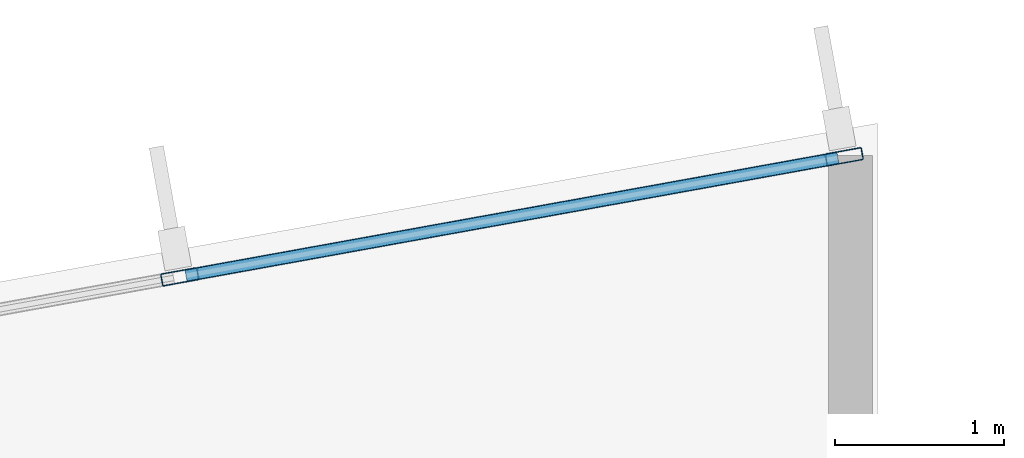
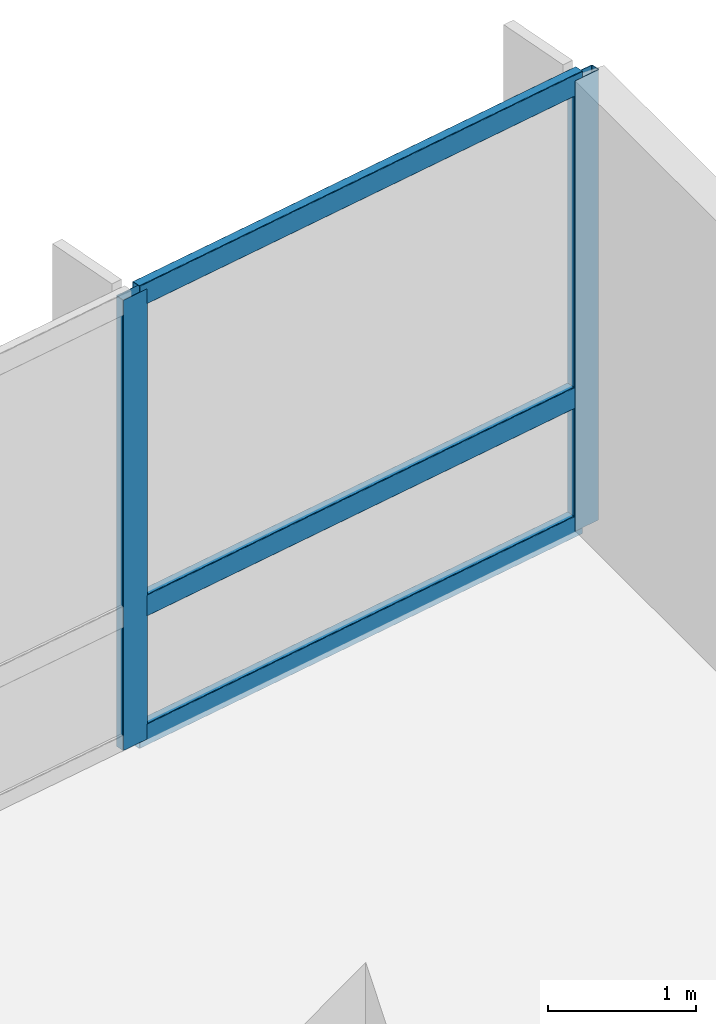
# One storey, part 10 of 21: 5 members, 1 element without a shape of its own.
"""IFC4 building model written with IfcOpenShell, lengths in metres."""

import ifcopenshell
import ifcopenshell.guid

model = None  # the IFC model being written
_history = None  # IfcOwnerHistory: only IFC2X3 demands one
_inside = {}  # id of a spatial element -> (the spatial element, [elements in it])
_under = {}  # id of a project, library or spatial element -> (it, [spatial elements below it])
_declared = {}  # id of a project -> (the project, [libraries it declares])
_typed = {}  # id of a type object -> (the type object, [elements of that type])
_made_of = {}  # id of a material, layer set ... -> (it, [elements and type objects made of it])


def new_model(schema):
    """Start an empty IFC model of exactly this schema.

    Asked for "IFC4X3", IfcOpenShell would pick the latest addendum, in which some entities
    have other attributes; the version numbers below select the first issue.
    IFC2X3 requires an IfcOwnerHistory on every rooted entity: one is made here for all.
    """
    global model, _history
    if schema == "IFC4X3":
        model = ifcopenshell.file(schema_version=(4, 3, 0, 0))
    else:
        model = ifcopenshell.file(schema=schema)
    _inside.clear()
    _under.clear()
    _declared.clear()
    _typed.clear()
    _made_of.clear()
    _history = None
    if model.schema == "IFC2X3":
        org = make("IfcOrganization", Name="unknown")
        user = make(
            "IfcPersonAndOrganization",
            ThePerson=make("IfcPerson", FamilyName="unknown"),
            TheOrganization=org,
        )
        app = make(
            "IfcApplication",
            ApplicationDeveloper=org,
            Version="unknown",
            ApplicationFullName="unknown",
            ApplicationIdentifier="unknown",
        )
        _history = make(
            "IfcOwnerHistory",
            OwningUser=user,
            OwningApplication=app,
            ChangeAction="ADDED",
            CreationDate=0,
        )
    return model


def make(cls, **values):
    """One entity of the class cls with the attributes given. An attribute that is None is left unset."""
    return model.create_entity(
        cls, **{name: value for name, value in values.items() if value is not None}
    )


def rooted(cls, **values):
    """An entity with a GlobalId (a new one), such as an element, a storey or a relation."""
    return make(cls, GlobalId=ifcopenshell.guid.new(), OwnerHistory=_history, **values)


def si_unit(unit_type, name, prefix=None):
    """IfcSIUnit, for example si_unit("LENGTHUNIT", "METRE", prefix="MILLI")."""
    return make("IfcSIUnit", UnitType=unit_type, Prefix=prefix, Name=name)


def assignment(units):
    """IfcUnitAssignment: the units of a project."""
    return None if units is None else make("IfcUnitAssignment", Units=units)


def point(xyz):
    """IfcCartesianPoint."""
    return None if xyz is None else make("IfcCartesianPoint", Coordinates=xyz)


def direction(xyz):
    """IfcDirection."""
    return None if xyz is None else make("IfcDirection", DirectionRatios=xyz)


def frame(location, z_axis=None, x_axis=None):
    """IfcAxis2Placement3D, a coordinate frame: its origin and axes. An axis left out is left unset."""
    return make(
        "IfcAxis2Placement3D",
        Location=point(location),
        Axis=direction(z_axis),
        RefDirection=direction(x_axis),
    )


def frame_2d(location, x_axis=None):
    """IfcAxis2Placement2D, a coordinate frame in the plane: its origin and x axis."""
    return make(
        "IfcAxis2Placement2D", Location=point(location), RefDirection=direction(x_axis)
    )


def origin():
    """The frame at (0, 0, 0) with its axes left unset."""
    return frame((0.0, 0.0, 0.0))


def origin_2d():
    """The frame at (0, 0) in the plane with its x axis left unset."""
    return frame_2d((0.0, 0.0))


def place(relative_to, where):
    """IfcLocalPlacement: puts the frame where relative to a parent placement (None: the world)."""
    return make(
        "IfcLocalPlacement", PlacementRelTo=relative_to, RelativePlacement=where
    )


def context(
    kind, dimensions, precision=None, world=None, true_north=None, identifier=None
):
    """IfcGeometricRepresentationContext, for example the 3D "Model" context."""
    return make(
        "IfcGeometricRepresentationContext",
        ContextIdentifier=identifier,
        ContextType=kind,
        CoordinateSpaceDimension=dimensions,
        Precision=precision,
        WorldCoordinateSystem=world,
        TrueNorth=true_north,
    )


def subcontext(parent, identifier, kind, view, scale=None):
    """IfcGeometricRepresentationSubContext, for example "Body" below "Model"."""
    return make(
        "IfcGeometricRepresentationSubContext",
        ContextIdentifier=identifier,
        ContextType=kind,
        ParentContext=parent,
        TargetScale=scale,
        TargetView=view,
    )


def project(units=None, contexts=None):
    """IfcProject with its units and contexts."""
    return rooted(
        "IfcProject",
        Name="project",
        RepresentationContexts=contexts,
        UnitsInContext=assignment(units),
    )


def spatial(cls, under=None, at=None, **own):
    """A site, building, storey or space (cls), placed at a placement, below another one or the project."""
    s = rooted(cls, ObjectPlacement=at, **own)
    if under is not None:
        _under.setdefault(under.id(), (under, []))[1].append(s)
    return s


def profile(cls, at=None, kind="AREA", **sizes):
    """A parametric profile (cls). Its sizes go by their IFC names, for example OverallWidth=200.0."""
    return make(cls, ProfileType=kind, Position=at, **sizes)


def hollow_rectangle(**sizes):
    """IfcRectangleHollowProfileDef."""
    return profile("IfcRectangleHollowProfileDef", **sizes)


def extrude(swept, where, along, depth):
    """IfcExtrudedAreaSolid: the profile swept, set in the frame where, extruded along a direction by depth."""
    return make(
        "IfcExtrudedAreaSolid",
        SweptArea=swept,
        Position=where,
        ExtrudedDirection=direction(along),
        Depth=depth,
    )


def shape(context_of_items, identifier, shape_type, items):
    """IfcShapeRepresentation: the items that make up one representation, for example the "Body"."""
    return make(
        "IfcShapeRepresentation",
        ContextOfItems=context_of_items,
        RepresentationIdentifier=identifier,
        RepresentationType=shape_type,
        Items=items,
    )


def material(Name=None, Category=None):
    """IfcMaterial."""
    return make("IfcMaterial", Name=Name, Category=Category)


def layer(
    of_material, thickness, ventilated=None, Name=None, Category=None, Priority=None
):
    """IfcMaterialLayer: one layer of a wall or slab, of a material (None: an air gap)."""
    return make(
        "IfcMaterialLayer",
        Material=of_material,
        LayerThickness=thickness,
        IsVentilated=ventilated,
        Name=Name,
        Category=Category,
        Priority=Priority,
    )


def layer_set(layers, Name=None):
    """IfcMaterialLayerSet."""
    return make("IfcMaterialLayerSet", MaterialLayers=layers, LayerSetName=Name)


def material_profile(
    of_material, cross_section, Name=None, Category=None, Priority=None
):
    """IfcMaterialProfile: a cross section and its material."""
    return make(
        "IfcMaterialProfile",
        Name=Name,
        Material=of_material,
        Profile=cross_section,
        Priority=Priority,
        Category=Category,
    )


def profile_set(profiles, Name=None, composite=None):
    """IfcMaterialProfileSet."""
    return make(
        "IfcMaterialProfileSet",
        Name=Name,
        MaterialProfiles=profiles,
        CompositeProfile=composite,
    )


def made_of(thing, what):
    """Note that an element or type object is made of a material, layer set ...; save() writes the relation."""
    if what is not None:
        _made_of.setdefault(what.id(), (what, []))[1].append(thing)
    return thing


def type_object(cls, material=None, **own):
    """A type object (cls), such as IfcWallType, which elements share."""
    return made_of(rooted(cls, **own), material)


def element(
    cls,
    number,
    at=None,
    inside=None,
    cuts=None,
    type_object=None,
    material=None,
    context=None,
    identifier="Body",
    shape_type=None,
    held_by="IfcProductDefinitionShape",
    body=None,
    shapes=None,
    **own,
):
    """One element of the class cls, such as IfcWall. Its Tag is "e" and its number.

    at: its placement. inside: the storey or other place that contains it. cuts: it is an
    opening in that element (IfcRelVoidsElement). A single representation is given by context,
    identifier, shape_type and body (its items); several are given by shapes. held_by: the class
    of the entity that holds the representations. save() writes the other relations.
    """
    e = rooted(cls, Tag="e%d" % number, ObjectPlacement=at, **own)
    if body is not None:
        shapes = [shape(context, identifier, shape_type, body)]
    if shapes is not None:
        e.Representation = make(held_by, Representations=shapes)
    if inside is not None:
        _inside.setdefault(inside.id(), (inside, []))[1].append(e)
    if cuts is not None:
        rooted(
            "IfcRelVoidsElement", RelatingBuildingElement=cuts, RelatedOpeningElement=e
        )
    if type_object is not None:
        _typed.setdefault(type_object.id(), (type_object, []))[1].append(e)
    return made_of(e, material)


def aggregate(whole, parts):
    """IfcRelAggregates: a whole, such as a stair, and the parts it consists of."""
    return rooted("IfcRelAggregates", RelatingObject=whole, RelatedObjects=parts)


def save(model, path):
    """Write the relations noted so far, then the file.

    IfcRelAggregates (storeys below a building ...), IfcRelContainedInSpatialStructure (elements
    in a storey), IfcRelDefinesByType, IfcRelAssociatesMaterial and IfcRelDeclares: one each for
    every whole, place, type object, material and project.
    """
    for whole, parts in _under.values():
        aggregate(whole, parts)
    for where, things in _inside.values():
        rooted(
            "IfcRelContainedInSpatialStructure",
            RelatedElements=things,
            RelatingStructure=where,
        )
    for kind, things in _typed.values():
        rooted("IfcRelDefinesByType", RelatedObjects=things, RelatingType=kind)
    for what, things in _made_of.values():
        rooted("IfcRelAssociatesMaterial", RelatedObjects=things, RelatingMaterial=what)
    for by, libraries in _declared.values():
        rooted("IfcRelDeclares", RelatingContext=by, RelatedDefinitions=libraries)
    model.write(path)


model = new_model("IFC4")

# Units and contexts
model_context = context("Model", 3, precision=1e-05, world=origin(), true_north=direction((0.0, 1.0)))
body_context = subcontext(model_context, "Body", "Model", "MODEL_VIEW")
ifc_project = project(units=[si_unit("LENGTHUNIT", "METRE"), si_unit("AREAUNIT", "SQUARE_METRE"), si_unit("VOLUMEUNIT", "CUBIC_METRE"), si_unit("PLANEANGLEUNIT", "RADIAN"), si_unit("MASSUNIT", "GRAM", prefix="KILO")], contexts=[model_context])

# Site, building, storey
site_placement = place(None, origin())
site = spatial("IfcSite", under=ifc_project, at=site_placement, CompositionType="ELEMENT")
building_placement = place(site_placement, origin())
building = spatial("IfcBuilding", under=site, at=building_placement, Name="Varnakote Quay Hospital", CompositionType="ELEMENT")
storey_placement = place(building_placement, frame((0.0, 0.0, 34.35009765625)))
storey = spatial("IfcBuildingStorey", under=building, at=storey_placement, Name="L08", CompositionType="ELEMENT", Elevation=34.35009765625)

# Curtain wall, members
ifc_material_1 = material(Name="Anodised aluminium 6063-T6 Bronze", Category="aluminium")
ifc_layer = layer(ifc_material_1, 0.18994140625)
ifc_layer_set = layer_set([ifc_layer], Name="Anodised aluminium 6063-T6 Bronze")
curtain_wall_type = type_object("IfcCurtainWallType", Name="CW-SYS-2", PredefinedType="NOTDEFINED", material=ifc_layer_set)
curtain_wall_placement = place(storey_placement, origin())
curtain_wall = element("IfcCurtainWall", 1, at=curtain_wall_placement, inside=storey, type_object=curtain_wall_type, Name="L08 Unitised Bronze Curtain Wall 2", PredefinedType="NOTDEFINED")
ifc_material_2 = material(Name="Anodised aluminium 6063-T6 Bronze", Category="aluminium")
ifc_material_profile_1 = material_profile(ifc_material_2, hollow_rectangle(XDim=0.074951171875, YDim=0.219970703125, WallThickness=0.00439453125, InnerFilletRadius=0.00439453125, OuterFilletRadius=0.009033203125, at=origin_2d()), Name="CW-MULL-220x75")
ifc_profile_set_1 = profile_set([ifc_material_profile_1], Name="Anodised aluminium 6063-T6 Bronze")
member_type_1 = type_object("IfcMemberType", Name="CW-MULL-220x75", PredefinedType="MULLION", material=ifc_profile_set_1)
member_1_placement = place(storey_placement, frame((55.403076171875, 34.201904296875, 0.0), z_axis=(0.0, 0.0, 1.0), x_axis=(0.177846199098, -0.984058295766, 0.0)))
member_1 = element("IfcMember", 2, at=member_1_placement, type_object=member_type_1, Name="-2-L08-2 mullion 1", PredefinedType="MULLION", context=body_context, shape_type="SweptSolid", body=[
    extrude(hollow_rectangle(XDim=0.074951171875, YDim=0.219970703125, WallThickness=0.00439453125, InnerFilletRadius=0.00439453125, OuterFilletRadius=0.009033203125, at=origin_2d()), origin(), (0.0, 0.0, 1.0), 3.7099609375),
])
member_2_placement = place(storey_placement, frame((51.477294921875, 33.492431640625, 0.0), z_axis=(0.0, 0.0, 1.0), x_axis=(0.177846199098, -0.984058295766, 0.0)))
member_2 = element("IfcMember", 3, at=member_2_placement, type_object=member_type_1, Name="-2-L08-2 mullion 2", PredefinedType="MULLION", context=body_context, shape_type="SweptSolid", body=[
    extrude(hollow_rectangle(XDim=0.074951171875, YDim=0.219970703125, WallThickness=0.00439453125, InnerFilletRadius=0.00439453125, OuterFilletRadius=0.009033203125, at=origin_2d()), origin(), (0.0, 0.0, 1.0), 3.7099609375),
])
ifc_material_3 = material(Name="Anodised aluminium 6063-T6 Bronze", Category="aluminium")
ifc_material_profile_2 = material_profile(ifc_material_3, hollow_rectangle(XDim=0.074951171875, YDim=0.179931640625, WallThickness=0.004150390625, InnerFilletRadius=0.004150390625, OuterFilletRadius=0.00830078125, at=origin_2d()), Name="CW-TRAN-180x75")
ifc_profile_set_2 = profile_set([ifc_material_profile_2], Name="Anodised aluminium 6063-T6 Bronze")
member_type_2 = type_object("IfcMemberType", Name="CW-TRAN-180x75", PredefinedType="USERDEFINED", material=ifc_profile_set_2)
member_3_placement = place(storey_placement, frame((55.3662109375, 34.195068359375, 0.037353515625), z_axis=(-0.984061948229, -0.177825988109, 0.0), x_axis=(0.177825988109, -0.984061948229, 0.0)))
member_3 = element("IfcMember", 4, at=member_3_placement, type_object=member_type_2, Name="-2-L08-2 transom 1.1", ObjectType="TRANSOM", PredefinedType="USERDEFINED", context=body_context, shape_type="SweptSolid", body=[
    extrude(hollow_rectangle(XDim=0.074951171875, YDim=0.179931640625, WallThickness=0.004150390625, InnerFilletRadius=0.004150390625, OuterFilletRadius=0.00830078125, at=origin_2d()), origin(), (0.0, 0.0, 1.0), 3.914306640625),
])
member_4_placement = place(storey_placement, frame((55.3662109375, 34.195068359375, 1.099853515625), z_axis=(-0.984061948229, -0.177825988109, 0.0), x_axis=(0.177825988109, -0.984061948229, 0.0)))
member_4 = element("IfcMember", 5, at=member_4_placement, type_object=member_type_2, Name="-2-L08-2 transom 1.2", ObjectType="TRANSOM", PredefinedType="USERDEFINED", context=body_context, shape_type="SweptSolid", body=[
    extrude(hollow_rectangle(XDim=0.074951171875, YDim=0.179931640625, WallThickness=0.004150390625, InnerFilletRadius=0.004150390625, OuterFilletRadius=0.00830078125, at=origin_2d()), origin(), (0.0, 0.0, 1.0), 3.914306640625),
])
member_5_placement = place(storey_placement, frame((55.3662109375, 34.195068359375, 3.67236328125), z_axis=(-0.984061948229, -0.177825988109, 0.0), x_axis=(0.177825988109, -0.984061948229, 0.0)))
member_5 = element("IfcMember", 6, at=member_5_placement, type_object=member_type_2, Name="-2-L08-2 transom 1.3", ObjectType="TRANSOM", PredefinedType="USERDEFINED", context=body_context, shape_type="SweptSolid", body=[
    extrude(hollow_rectangle(XDim=0.074951171875, YDim=0.179931640625, WallThickness=0.004150390625, InnerFilletRadius=0.004150390625, OuterFilletRadius=0.00830078125, at=origin_2d()), origin(), (0.0, 0.0, 1.0), 3.914306640625),
])
aggregate(curtain_wall, [member_1, member_2, member_3, member_4, member_5])

save(model, "model.ifc")
